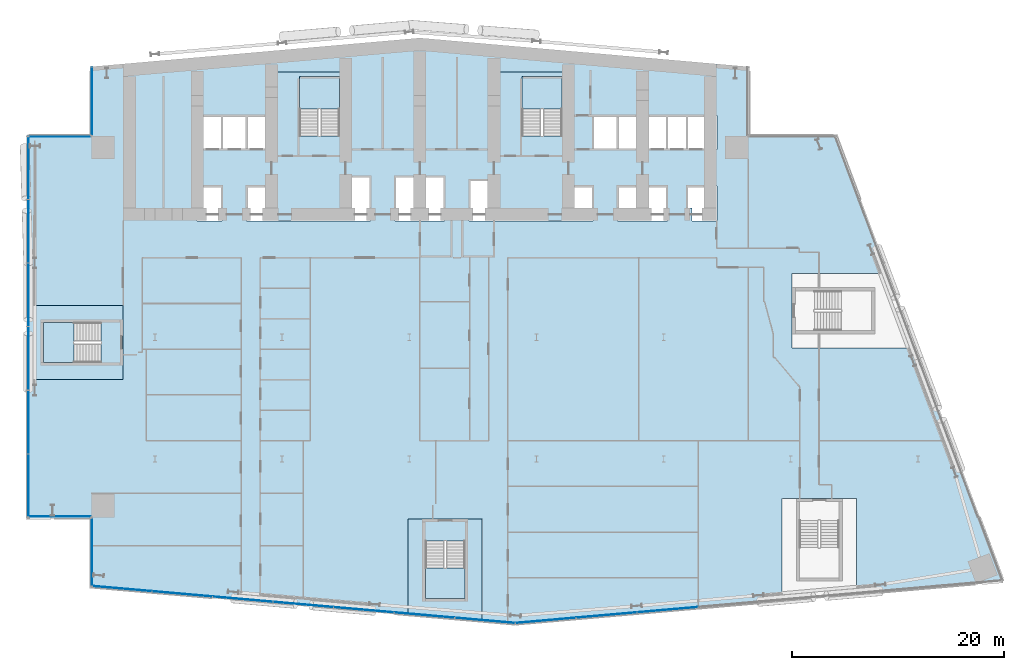
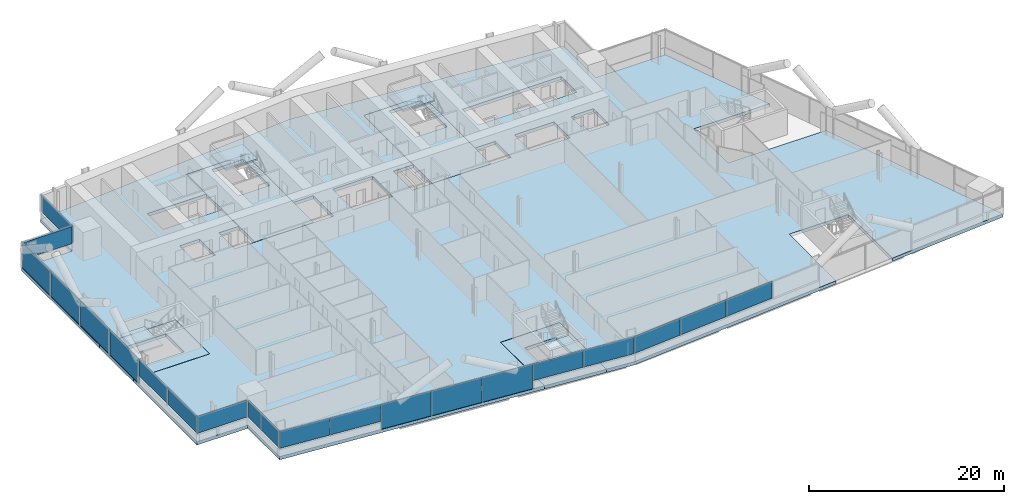
# One storey, part 11 of 27: 20 plates, 9 slabs, 11 elements without a shape of their own.
"""IFC4 building model written with IfcOpenShell, lengths in metres."""

from ifc_helpers import new_model, si_unit, direction, frame, origin, origin_2d, place, context, subcontext, project, spatial, polyline, rectangle, outline, extrude, material, layer, layer_set, type_object, element, aggregate, save


model = new_model("IFC4")

# Units and contexts
model_context = context("Model", 3, precision=1e-05, world=origin(), true_north=direction((0.0, 1.0)))
body_context = subcontext(model_context, "Body", "Model", "MODEL_VIEW")
ifc_project = project(units=[si_unit("LENGTHUNIT", "METRE"), si_unit("AREAUNIT", "SQUARE_METRE"), si_unit("VOLUMEUNIT", "CUBIC_METRE"), si_unit("PLANEANGLEUNIT", "RADIAN"), si_unit("MASSUNIT", "GRAM", prefix="KILO")], contexts=[model_context])

# Site, building, storey
site_placement = place(None, origin())
site = spatial("IfcSite", under=ifc_project, at=site_placement, CompositionType="ELEMENT")
building_placement = place(site_placement, origin())
building = spatial("IfcBuilding", under=site, at=building_placement, Name="Wharfspan Tower", CompositionType="ELEMENT")
storey_placement = place(building_placement, frame((0.0, 0.0, 81.100098)))
storey = spatial("IfcBuildingStorey", under=building, at=storey_placement, Name="L17", CompositionType="ELEMENT", Elevation=81.100098)

# Curtain wall, plates
ifc_material_1 = material(Name="Aluminium 6063-T6", Category="aluminium")
curtain_wall_type_1 = type_object("IfcCurtainWallType", Name="CURTAIN WALL FACETED FRONT", PredefinedType="NOTDEFINED", material=ifc_material_1)
curtain_wall_1_placement = place(storey_placement, origin())
curtain_wall_1 = element("IfcCurtainWall", 1, at=curtain_wall_1_placement, inside=storey, type_object=curtain_wall_type_1, Name="Curtain wall S1", PredefinedType="NOTDEFINED")
ifc_material_2 = material(Name="Glass clear low-iron double glazing", Category="glass")
ifc_layer_1 = layer(ifc_material_2, 0.040039)
ifc_layer_set_1 = layer_set([ifc_layer_1], Name="Glass clear low-iron double glazing")
plate_type_1 = type_object("IfcPlateType", Name="GLASS PANEL FACETED FRONT 40", PredefinedType="CURTAIN_PANEL", material=ifc_layer_set_1)
plate_1_placement = place(storey_placement, frame((8.877197, -0.716553, 0.999756), z_axis=(0.0, 0.0, 1.0), x_axis=(0.996197, -0.087156, 0.0)))
plate_1 = element("IfcPlate", 2, at=plate_1_placement, type_object=plate_type_1, Name="Curtain wall S1 panel 1", PredefinedType="CURTAIN_PANEL", context=body_context, shape_type="SweptSolid", body=[
    extrude(rectangle(XDim=5.645996, YDim=0.040039, at=origin_2d()), origin(), (0.0, 0.0, 1.0), 2.120117),
])
plate_2_placement = place(storey_placement, frame((14.57666, -1.215088, 0.999756), z_axis=(0.0, 0.0, 1.0), x_axis=(0.996197, -0.087156, 0.0)))
plate_2 = element("IfcPlate", 3, at=plate_2_placement, type_object=plate_type_1, Name="Curtain wall S1 panel 2", PredefinedType="CURTAIN_PANEL", context=body_context, shape_type="SweptSolid", body=[
    extrude(rectangle(XDim=5.676025, YDim=0.040039, at=origin_2d()), origin(), (0.0, 0.0, 1.0), 2.120117),
])
plate_3_placement = place(storey_placement, frame((37.433838, -3.214844, 0.999756), z_axis=(0.0, 0.0, 1.0), x_axis=(0.996197, -0.087156, 0.0)))
plate_3 = element("IfcPlate", 4, at=plate_3_placement, type_object=plate_type_1, Name="Curtain wall S1 panel 6", PredefinedType="CURTAIN_PANEL", context=body_context, shape_type="SweptSolid", body=[
    extrude(rectangle(XDim=5.676025, YDim=0.040039, at=origin_2d()), origin(), (0.0, 0.0, 1.0), 2.120117),
])
plate_4_placement = place(storey_placement, frame((43.133057, -3.713379, 0.999756), z_axis=(0.0, 0.0, 1.0), x_axis=(0.996197, -0.087156, 0.0)))
plate_4 = element("IfcPlate", 5, at=plate_4_placement, type_object=plate_type_1, Name="Curtain wall S1 panel 7", PredefinedType="CURTAIN_PANEL", context=body_context, shape_type="SweptSolid", body=[
    extrude(rectangle(XDim=5.645996, YDim=0.040039, at=origin_2d()), origin(), (0.0, 0.0, 1.0), 2.120117),
])

curtain_wall_2_placement = place(storey_placement, origin())
curtain_wall_2 = element("IfcCurtainWall", 6, at=curtain_wall_2_placement, inside=storey, type_object=curtain_wall_type_1, Name="Curtain wall S2", PredefinedType="NOTDEFINED")
plate_5_placement = place(storey_placement, frame((48.884766, -3.711914, 0.999756), z_axis=(0.0, 0.0, 1.0), x_axis=(0.996197, 0.087156, 0.0)))
plate_5 = element("IfcPlate", 7, at=plate_5_placement, type_object=plate_type_1, Name="Curtain wall S2 panel 1", PredefinedType="CURTAIN_PANEL", context=body_context, shape_type="SweptSolid", body=[
    extrude(rectangle(XDim=5.681885, YDim=0.040039, at=origin_2d()), origin(), (0.0, 0.0, 1.0), 2.120117),
])
plate_6_placement = place(storey_placement, frame((54.619873, -3.210205, 0.999756), z_axis=(0.0, 0.0, 1.0), x_axis=(0.996197, 0.087156, 0.0)))
plate_6 = element("IfcPlate", 8, at=plate_6_placement, type_object=plate_type_1, Name="Curtain wall S2 panel 2", PredefinedType="CURTAIN_PANEL", context=body_context, shape_type="SweptSolid", body=[
    extrude(rectangle(XDim=5.711914, YDim=0.040039, at=origin_2d()), origin(), (0.0, 0.0, 1.0), 2.120117),
])
plate_7_placement = place(storey_placement, frame((60.369873, -2.707031, 0.999756), z_axis=(0.0, 0.0, 1.0), x_axis=(0.996197, 0.087156, 0.0)))
plate_7 = element("IfcPlate", 9, at=plate_7_placement, type_object=plate_type_1, Name="Curtain wall S2 panel 3", PredefinedType="CURTAIN_PANEL", context=body_context, shape_type="SweptSolid", body=[
    extrude(rectangle(XDim=5.711914, YDim=0.040039, at=origin_2d()), origin(), (0.0, 0.0, 1.0), 2.120117),
])
aggregate(curtain_wall_2, [plate_5, plate_6, plate_7])

# Curtain wall, plate
curtain_wall_type_2 = type_object("IfcCurtainWallType", Name="CURTAIN WALL PROW AND END", PredefinedType="NOTDEFINED", material=ifc_material_1)
curtain_wall_3_placement = place(storey_placement, origin())
curtain_wall_3 = element("IfcCurtainWall", 10, at=curtain_wall_3_placement, inside=storey, type_object=curtain_wall_type_2, Name="Curtain wall NRW-V", PredefinedType="NOTDEFINED")
ifc_layer_2 = layer(ifc_material_2, 0.040039)
ifc_layer_set_2 = layer_set([ifc_layer_2], Name="Glass clear low-iron double glazing")
plate_type_2 = type_object("IfcPlateType", Name="GLASS PANEL PROW AND END 40", PredefinedType="CURTAIN_PANEL", material=ifc_layer_set_2)
plate_8_placement = place(storey_placement, frame((6.080078, 45.262451, 0.999756), z_axis=(0.0, 0.0, 1.0), x_axis=(0.0, -1.0, 0.0)))
plate_8 = element("IfcPlate", 11, at=plate_8_placement, type_object=plate_type_2, Name="Curtain wall NRW-V panel 1", PredefinedType="CURTAIN_PANEL", context=body_context, shape_type="SweptSolid", body=[
    extrude(rectangle(XDim=6.405029, YDim=0.040039, at=origin_2d()), origin(), (0.0, 0.0, 1.0), 2.120117),
])
aggregate(curtain_wall_3, [plate_8])

curtain_wall_4_placement = place(storey_placement, origin())
curtain_wall_4 = element("IfcCurtainWall", 12, at=curtain_wall_4_placement, inside=storey, type_object=curtain_wall_type_2, Name="Curtain wall NRW-H", PredefinedType="NOTDEFINED")
plate_9_placement = place(storey_placement, frame((3.0, 41.919922, 0.999756), z_axis=(0.0, 0.0, 1.0), x_axis=(-1.0, 0.0, 0.0)))
plate_9 = element("IfcPlate", 13, at=plate_9_placement, type_object=plate_type_2, Name="Curtain wall NRW-H panel 1", PredefinedType="CURTAIN_PANEL", context=body_context, shape_type="SweptSolid", body=[
    extrude(rectangle(XDim=5.879883, YDim=0.040039, at=origin_2d()), origin(), (0.0, 0.0, 1.0), 2.120117),
])
aggregate(curtain_wall_4, [plate_9])

# Curtain wall, plates
curtain_wall_5_placement = place(storey_placement, origin())
curtain_wall_5 = element("IfcCurtainWall", 14, at=curtain_wall_5_placement, inside=storey, type_object=curtain_wall_type_2, Name="Curtain wall W", PredefinedType="NOTDEFINED")
plate_10_placement = place(storey_placement, frame((0.080078, 15.0, 0.999756), z_axis=(0.0, 0.0, 1.0), x_axis=(0.0, -1.0, 0.0)))
plate_10 = element("IfcPlate", 15, at=plate_10_placement, type_object=plate_type_2, Name="Curtain wall W panel 5", PredefinedType="CURTAIN_PANEL", context=body_context, shape_type="SweptSolid", body=[
    extrude(rectangle(XDim=5.939941, YDim=0.040039, at=origin_2d()), origin(), (0.0, 0.0, 1.0), 2.120117),
])
plate_11_placement = place(storey_placement, frame((0.080078, 9.014893, 0.999756), z_axis=(0.0, 0.0, 1.0), x_axis=(0.0, -1.0, 0.0)))
plate_11 = element("IfcPlate", 16, at=plate_11_placement, type_object=plate_type_2, Name="Curtain wall W panel 6", PredefinedType="CURTAIN_PANEL", context=body_context, shape_type="SweptSolid", body=[
    extrude(rectangle(XDim=5.909912, YDim=0.040039, at=origin_2d()), origin(), (0.0, 0.0, 1.0), 2.120117),
])

# Curtain wall, plate
curtain_wall_6_placement = place(storey_placement, origin())
curtain_wall_6 = element("IfcCurtainWall", 17, at=curtain_wall_6_placement, inside=storey, type_object=curtain_wall_type_2, Name="Curtain wall NFW-H", PredefinedType="NOTDEFINED")
plate_12_placement = place(storey_placement, frame((3.0, 6.080078, 0.999756), z_axis=(0.0, 0.0, 1.0), x_axis=(1.0, 0.0, 0.0)))
plate_12 = element("IfcPlate", 18, at=plate_12_placement, type_object=plate_type_2, Name="Curtain wall NFW-H panel 1", PredefinedType="CURTAIN_PANEL", context=body_context, shape_type="SweptSolid", body=[
    extrude(rectangle(XDim=5.879883, YDim=0.040039, at=origin_2d()), origin(), (0.0, 0.0, 1.0), 2.120117),
])
aggregate(curtain_wall_6, [plate_12])

curtain_wall_7_placement = place(storey_placement, origin())
curtain_wall_7 = element("IfcCurtainWall", 19, at=curtain_wall_7_placement, inside=storey, type_object=curtain_wall_type_2, Name="Curtain wall NFW-V", PredefinedType="NOTDEFINED")
plate_13_placement = place(storey_placement, frame((6.080078, 2.737549, 0.999756), z_axis=(0.0, 0.0, 1.0), x_axis=(0.0, -1.0, 0.0)))
plate_13 = element("IfcPlate", 20, at=plate_13_placement, type_object=plate_type_2, Name="Curtain wall NFW-V panel 1", PredefinedType="CURTAIN_PANEL", context=body_context, shape_type="SweptSolid", body=[
    extrude(rectangle(XDim=6.405029, YDim=0.040039, at=origin_2d()), origin(), (0.0, 0.0, 1.0), 2.120117),
])
aggregate(curtain_wall_7, [plate_13])

# Plate
ifc_material_3 = material(Name="Aluminium composite opaque insulated panel", Category="aluminium")
ifc_layer_3 = layer(ifc_material_3, 0.040039)
ifc_layer_set_3 = layer_set([ifc_layer_3], Name="Aluminium composite opaque insulated panel")
plate_type_3 = type_object("IfcPlateType", Name="INFILL PANEL FACETED FRONT OPAQUE 40", PredefinedType="SHEET", material=ifc_layer_set_3)
plate_14_placement = place(storey_placement, frame((20.291016, -1.715088, -0.000244), z_axis=(0.0, 0.0, 1.0), x_axis=(0.996197, -0.087156, 0.0)))
plate_14 = element("IfcPlate", 21, at=plate_14_placement, type_object=plate_type_3, Name="Curtain wall S1 panel 3", PredefinedType="SHEET", context=body_context, shape_type="SweptSolid", body=[
    extrude(rectangle(XDim=5.676025, YDim=0.040039, at=origin_2d()), origin(), (0.0, 0.0, 1.0), 3.120117),
])

plate_15_placement = place(storey_placement, frame((26.005127, -2.214844, -0.000244), z_axis=(0.0, 0.0, 1.0), x_axis=(0.996197, -0.087156, 0.0)))
plate_15 = element("IfcPlate", 22, at=plate_15_placement, type_object=plate_type_3, Name="Curtain wall S1 panel 4", PredefinedType="SHEET", context=body_context, shape_type="SweptSolid", body=[
    extrude(rectangle(XDim=5.676025, YDim=0.040039, at=origin_2d()), origin(), (0.0, 0.0, 1.0), 3.120117),
])

plate_16_placement = place(storey_placement, frame((31.719482, -2.714844, -0.000244), z_axis=(0.0, 0.0, 1.0), x_axis=(0.996197, -0.087156, 0.0)))
plate_16 = element("IfcPlate", 23, at=plate_16_placement, type_object=plate_type_3, Name="Curtain wall S1 panel 5", PredefinedType="SHEET", context=body_context, shape_type="SweptSolid", body=[
    extrude(rectangle(XDim=5.676025, YDim=0.040039, at=origin_2d()), origin(), (0.0, 0.0, 1.0), 3.120117),
])

aggregate(curtain_wall_1, [plate_1, plate_2, plate_14, plate_15, plate_16, plate_3, plate_4])

ifc_layer_4 = layer(ifc_material_3, 0.040039)
ifc_layer_set_4 = layer_set([ifc_layer_4], Name="Aluminium composite opaque insulated panel")
plate_type_4 = type_object("IfcPlateType", Name="INFILL PANEL PROW AND END OPAQUE 40", PredefinedType="SHEET", material=ifc_layer_set_4)
plate_17_placement = place(storey_placement, frame((0.080078, 38.985107, -0.000244), z_axis=(0.0, 0.0, 1.0), x_axis=(0.0, -1.0, 0.0)))
plate_17 = element("IfcPlate", 24, at=plate_17_placement, type_object=plate_type_4, Name="Curtain wall W panel 1", PredefinedType="SHEET", context=body_context, shape_type="SweptSolid", body=[
    extrude(rectangle(XDim=5.909912, YDim=0.040039, at=origin_2d()), origin(), (0.0, 0.0, 1.0), 3.120117),
])

plate_18_placement = place(storey_placement, frame((0.080078, 33.0, -0.000244), z_axis=(0.0, 0.0, 1.0), x_axis=(0.0, -1.0, 0.0)))
plate_18 = element("IfcPlate", 25, at=plate_18_placement, type_object=plate_type_4, Name="Curtain wall W panel 2", PredefinedType="SHEET", context=body_context, shape_type="SweptSolid", body=[
    extrude(rectangle(XDim=5.939941, YDim=0.040039, at=origin_2d()), origin(), (0.0, 0.0, 1.0), 3.120117),
])

plate_19_placement = place(storey_placement, frame((0.080078, 27.0, -0.000244), z_axis=(0.0, 0.0, 1.0), x_axis=(0.0, -1.0, 0.0)))
plate_19 = element("IfcPlate", 26, at=plate_19_placement, type_object=plate_type_4, Name="Curtain wall W panel 3", PredefinedType="SHEET", context=body_context, shape_type="SweptSolid", body=[
    extrude(rectangle(XDim=5.939941, YDim=0.040039, at=origin_2d()), origin(), (0.0, 0.0, 1.0), 3.120117),
])

plate_20_placement = place(storey_placement, frame((0.080078, 21.0, -0.000244), z_axis=(0.0, 0.0, 1.0), x_axis=(0.0, -1.0, 0.0)))
plate_20 = element("IfcPlate", 27, at=plate_20_placement, type_object=plate_type_4, Name="Curtain wall W panel 4", PredefinedType="SHEET", context=body_context, shape_type="SweptSolid", body=[
    extrude(rectangle(XDim=5.939941, YDim=0.040039, at=origin_2d()), origin(), (0.0, 0.0, 1.0), 3.120117),
])

aggregate(curtain_wall_5, [plate_17, plate_18, plate_19, plate_20, plate_10, plate_11])

# Slabs
ifc_material_4 = material(Name="Concrete C40/50", Category="concrete")
ifc_layer_5 = layer(ifc_material_4, 0.399902)
ifc_layer_set_5 = layer_set([ifc_layer_5], Name="Concrete C40/50")
slab_type_1 = type_object("IfcSlabType", Name="Post-tensioned flat slab 400", PredefinedType="FLOOR", material=ifc_layer_set_5)
slab_1_placement = place(storey_placement, frame((0.0, 0.0, -0.400146)))
element("IfcSlab", 28, at=slab_1_placement, inside=storey, type_object=slab_type_1, Name="Floor slab L17", PredefinedType="FLOOR", context=body_context, shape_type="SweptSolid", body=[
    extrude(outline(polyline([(35.873291, -3.138428), (35.873291, 5.870605), (42.893311, 5.870605), (42.893311, -3.752686), (46.0, -4.024414), (71.182617, -1.821289), (71.182617, 7.802002), (78.202393, 7.802002), (78.202393, -1.207031), (92.0, 0.0), (83.753662, 21.98999), (72.11499, 21.98999), (72.11499, 29.01001), (81.121338, 29.01001), (76.25, 42.0), (68.0, 42.0), (68.0, 48.524902), (37.0, 51.237061), (6.0, 48.524902), (6.0, 42.0), (0.0, 42.0), (0.0, 26.01001), (9.01001, 26.01001), (9.01001, 18.98999), (0.0, 18.98999), (0.0, 6.0), (6.0, 6.0), (6.0, -0.524902), (35.873291, -3.138428)]), holes=[polyline([(62.290039, 37.159912), (62.656738, 37.159912), (62.656738, 37.26001), (65.01001, 37.26001), (65.01001, 33.98999), (62.656738, 33.98999), (62.656738, 35.189941), (62.290039, 35.189941), (62.290039, 37.159912)]), polyline([(65.01001, 43.909912), (65.01001, 40.689941), (53.323242, 40.689941), (53.323242, 43.909912), (65.01001, 43.909912)]), polyline([(55.656738, 33.98999), (55.656738, 37.26001), (60.343262, 37.26001), (60.343262, 33.98999), (55.656738, 33.98999)]), polyline([(43.98999, 37.860107), (43.98999, 48.01001), (51.01001, 48.01001), (51.01001, 37.26001), (53.343262, 37.26001), (53.343262, 33.98999), (41.656738, 33.98999), (41.656738, 37.860107), (43.98999, 37.860107)]), polyline([(34.656738, 33.98999), (34.656738, 38.159912), (39.343262, 38.159912), (39.343262, 33.98999), (34.656738, 33.98999)]), polyline([(15.98999, 40.689941), (15.98999, 43.909912), (20.656738, 43.909912), (20.676758, 43.909912), (22.98999, 43.909912), (22.98999, 48.01001), (30.01001, 48.01001), (30.01001, 38.159912), (32.343262, 38.159912), (32.343262, 33.98999), (20.656738, 33.98999), (20.656738, 37.26001), (22.98999, 37.26001), (22.98999, 40.689941), (20.676758, 40.689941), (20.656738, 40.689941), (15.98999, 40.689941)]), polyline([(18.343262, 37.26001), (18.343262, 33.98999), (15.98999, 33.98999), (15.98999, 37.26001), (18.343262, 37.26001)])]), origin(), (0.0, 0.0, 1.0), 0.400146),
])
slab_2_placement = place(storey_placement, frame((0.0, 0.0, -0.400146)))
element("IfcSlab", 29, at=slab_2_placement, inside=storey, type_object=slab_type_1, Name="Core floor slab L17 part 1", PredefinedType="FLOOR", context=body_context, shape_type="SweptSolid", body=[
    extrude(outline(polyline([(9.0, 20.324951), (9.0, 24.675049), (9.0, 26.0), (0.0, 26.0), (0.0, 19.0), (9.0, 19.0), (9.0, 20.324951)]), holes=[polyline([(6.9021, 20.625), (6.9021, 20.624756), (6.9021, 20.624512), (6.901855, 20.624512), (6.901855, 20.624268), (6.901855, 20.624023), (6.901611, 20.623779), (6.901611, 20.623779), (6.901367, 20.623535), (6.901367, 20.623535), (6.901123, 20.623291), (6.900879, 20.623291), (6.900879, 20.623291), (6.900635, 20.623047), (6.900391, 20.623047), (6.900146, 20.623047), (6.899902, 20.623047), (1.5, 20.623047), (1.499756, 20.623047), (1.499512, 20.623047), (1.499512, 20.623047), (1.499268, 20.623291), (1.499023, 20.623291), (1.498779, 20.623291), (1.498779, 20.623535), (1.498535, 20.623535), (1.498535, 20.623779), (1.498291, 20.623779), (1.498291, 20.624023), (1.498291, 20.624268), (1.498047, 20.624512), (1.498047, 20.624512), (1.498047, 20.624756), (1.498047, 20.625), (1.498047, 24.375), (1.498047, 24.375244), (1.498047, 24.375488), (1.498047, 24.375488), (1.498291, 24.375732), (1.498291, 24.375977), (1.498291, 24.376221), (1.498535, 24.376221), (1.498535, 24.376465), (1.498779, 24.376465), (1.498779, 24.376709), (1.499023, 24.376709), (1.499268, 24.376709), (1.499512, 24.376953), (1.499512, 24.376953), (1.499756, 24.376953), (1.5, 24.376953), (6.899902, 24.376953), (6.900146, 24.376953), (6.900391, 24.376953), (6.900635, 24.376953), (6.900879, 24.376709), (6.900879, 24.376709), (6.901123, 24.376709), (6.901367, 24.376465), (6.901367, 24.376465), (6.901611, 24.376221), (6.901611, 24.376221), (6.901855, 24.375977), (6.901855, 24.375732), (6.901855, 24.375488), (6.9021, 24.375488), (6.9021, 24.375244), (6.9021, 24.375), (6.9021, 20.625)])]), origin(), (0.0, 0.0, 1.0), 0.400146),
])
slab_3_placement = place(storey_placement, frame((0.0, 0.0, -0.400146)))
element("IfcSlab", 30, at=slab_3_placement, inside=storey, type_object=slab_type_1, Name="Core floor slab L17 part 2", PredefinedType="FLOOR", context=body_context, shape_type="SweptSolid", body=[
    extrude(outline(polyline([(20.664795, 34.0), (20.664795, 37.25), (20.664795, 37.250244), (20.664795, 37.250488), (20.664795, 37.250488), (20.664795, 37.250732), (20.664795, 37.250977), (20.665039, 37.251221), (20.665039, 37.251221), (20.665283, 37.251465), (20.665283, 37.251465), (20.665527, 37.251709), (20.665771, 37.251709), (20.666016, 37.251709), (20.666016, 37.251953), (20.66626, 37.251953), (20.666504, 37.251953), (20.666748, 37.251953), (23.0, 37.251953), (23.000244, 37.251953), (23.000488, 37.251953), (23.000488, 37.251953), (23.000732, 37.251709), (23.000977, 37.251709), (23.001221, 37.251709), (23.001221, 37.251465), (23.001465, 37.251465), (23.001465, 37.251221), (23.001709, 37.251221), (23.001709, 37.250977), (23.001709, 37.250732), (23.001953, 37.250488), (23.001953, 37.250488), (23.001953, 37.250244), (23.001953, 37.25), (23.001953, 34.0), (29.998047, 34.0), (29.998047, 38.149902), (29.998047, 38.150146), (29.998047, 38.150391), (29.998047, 38.150635), (29.998291, 38.150879), (29.998291, 38.150879), (29.998291, 38.151123), (29.998535, 38.151367), (29.998535, 38.151367), (29.998779, 38.151611), (29.998779, 38.151611), (29.999023, 38.151855), (29.999268, 38.151855), (29.999512, 38.151855), (29.999512, 38.1521), (29.999756, 38.1521), (30.0, 38.1521), (32.333252, 38.1521), (32.333496, 38.1521), (32.33374, 38.1521), (32.333984, 38.151855), (32.333984, 38.151855), (32.334229, 38.151855), (32.334473, 38.151611), (32.334717, 38.151611), (32.334717, 38.151367), (32.334961, 38.151367), (32.334961, 38.151123), (32.335205, 38.150879), (32.335205, 38.150879), (32.335205, 38.150635), (32.335205, 38.150391), (32.335205, 38.150146), (32.335205, 38.149902), (32.335205, 34.0), (32.341309, 34.0), (32.341309, 38.157959), (30.01001, 38.157959), (30.009766, 38.157959), (30.009521, 38.157959), (30.009521, 38.158203), (30.009277, 38.158203), (30.009033, 38.158203), (30.008789, 38.158203), (30.008789, 38.158447), (30.008545, 38.158691), (30.008545, 38.158691), (30.008301, 38.158936), (30.008301, 38.15918), (30.008301, 38.15918), (30.008057, 38.159424), (30.008057, 38.159668), (30.008057, 38.159912), (30.008057, 38.159912), (30.008057, 48.008057), (22.991943, 48.008057), (22.991943, 43.909912), (22.991943, 43.909912), (22.991943, 43.909668), (22.991943, 43.909424), (22.991699, 43.90918), (22.991699, 43.90918), (22.991699, 43.908936), (22.991455, 43.908691), (22.991455, 43.908691), (22.991211, 43.908447), (22.991211, 43.908203), (22.990967, 43.908203), (22.990723, 43.908203), (22.990479, 43.908203), (22.990479, 43.907959), (22.990234, 43.907959), (22.98999, 43.907959), (15.991943, 43.907959), (15.991943, 40.691895), (22.98999, 40.691895), (22.990234, 40.691895), (22.990479, 40.691895), (22.990479, 40.691895), (22.990723, 40.691895), (22.990967, 40.691895), (22.991211, 40.69165), (22.991211, 40.691406), (22.991455, 40.691406), (22.991455, 40.691406), (22.991699, 40.691162), (22.991699, 40.690918), (22.991699, 40.690918), (22.991943, 40.690674), (22.991943, 40.69043), (22.991943, 40.690186), (22.991943, 40.689941), (22.991943, 37.26001), (22.991943, 37.259766), (22.991943, 37.259521), (22.991943, 37.259521), (22.991699, 37.259277), (22.991699, 37.259033), (22.991699, 37.258789), (22.991455, 37.258789), (22.991455, 37.258545), (22.991211, 37.258545), (22.991211, 37.258301), (22.990967, 37.258301), (22.990723, 37.258301), (22.990479, 37.258057), (22.990479, 37.258057), (22.990234, 37.258057), (22.98999, 37.258057), (20.658691, 37.258057), (20.658691, 34.0), (20.664795, 34.0)]), holes=[polyline([(29.4021, 42.0), (29.4021, 41.999756), (29.4021, 41.999512), (29.401855, 41.999512), (29.401855, 41.999268), (29.401855, 41.999023), (29.401611, 41.998779), (29.401611, 41.998779), (29.401367, 41.998535), (29.401367, 41.998535), (29.401123, 41.998291), (29.400879, 41.998291), (29.400879, 41.998291), (29.400635, 41.998047), (29.400391, 41.998047), (29.400146, 41.998047), (29.399902, 41.998047), (25.649902, 41.998047), (25.649902, 41.998047), (25.649658, 41.998047), (25.649414, 41.998047), (25.64917, 41.998291), (25.64917, 41.998291), (25.648926, 41.998291), (25.648682, 41.998535), (25.648682, 41.998535), (25.648438, 41.998779), (25.648193, 41.998779), (25.648193, 41.999023), (25.648193, 41.999268), (25.648193, 41.999512), (25.647949, 41.999512), (25.647949, 41.999756), (25.647949, 42.0), (25.647949, 47.399902), (25.647949, 47.400146), (25.647949, 47.400391), (25.648193, 47.400635), (25.648193, 47.400879), (25.648193, 47.400879), (25.648193, 47.401123), (25.648438, 47.401367), (25.648682, 47.401367), (25.648682, 47.401611), (25.648926, 47.401611), (25.64917, 47.401855), (25.64917, 47.401855), (25.649414, 47.401855), (25.649658, 47.4021), (25.649902, 47.4021), (25.649902, 47.4021), (29.399902, 47.4021), (29.400146, 47.4021), (29.400391, 47.4021), (29.400635, 47.401855), (29.400879, 47.401855), (29.400879, 47.401855), (29.401123, 47.401611), (29.401367, 47.401611), (29.401367, 47.401367), (29.401611, 47.401367), (29.401611, 47.401123), (29.401855, 47.400879), (29.401855, 47.400879), (29.401855, 47.400635), (29.4021, 47.400391), (29.4021, 47.400146), (29.4021, 47.399902), (29.4021, 42.0)]), polyline([(16.0, 40.697998), (15.999756, 40.697998), (15.999512, 40.697998), (15.999512, 40.697998), (15.999268, 40.698242), (15.999023, 40.698242), (15.998779, 40.698242), (15.998779, 40.698486), (15.998535, 40.698486), (15.998535, 40.69873), (15.998291, 40.698975), (15.998291, 40.699219), (15.998291, 40.699219), (15.998047, 40.699463), (15.998047, 40.699707), (15.998047, 40.699707), (15.998047, 40.699951), (15.998047, 43.899902), (15.998047, 43.900146), (15.998047, 43.900391), (15.998047, 43.900635), (15.998291, 43.900879), (15.998291, 43.900879), (15.998291, 43.901123), (15.998535, 43.901367), (15.998535, 43.901367), (15.998779, 43.901611), (15.998779, 43.901611), (15.999023, 43.901855), (15.999268, 43.901855), (15.999512, 43.901855), (15.999512, 43.9021), (15.999756, 43.9021), (16.0, 43.9021), (20.666748, 43.9021), (20.666748, 43.9021), (23.0, 43.9021), (23.000244, 43.9021), (23.000488, 43.9021), (23.000488, 43.901855), (23.000732, 43.901855), (23.000977, 43.901855), (23.001221, 43.901611), (23.001221, 43.901611), (23.001465, 43.901367), (23.001465, 43.901367), (23.001709, 43.901123), (23.001709, 43.900879), (23.001709, 43.900879), (23.001953, 43.900635), (23.001953, 43.900391), (23.001953, 43.900146), (23.001953, 43.899902), (23.001953, 40.699951), (23.001953, 40.699707), (23.001953, 40.699707), (23.001953, 40.699463), (23.001709, 40.699219), (23.001709, 40.699219), (23.001709, 40.698975), (23.001465, 40.69873), (23.001465, 40.698486), (23.001221, 40.698486), (23.001221, 40.698242), (23.000977, 40.698242), (23.000732, 40.698242), (23.000488, 40.697998), (23.000488, 40.697998), (23.000244, 40.697998), (23.0, 40.697998), (20.666748, 40.697998), (20.666748, 40.697998), (16.0, 40.697998)])]), origin(), (0.0, 0.0, 1.0), 0.400146),
])
slab_4_placement = place(storey_placement, frame((0.0, 0.0, -0.400146)))
element("IfcSlab", 31, at=slab_4_placement, inside=storey, type_object=slab_type_1, Name="Core floor slab L17 part 3", PredefinedType="FLOOR", context=body_context, shape_type="SweptSolid", body=[
    extrude(outline(polyline([(41.55835, 5.860596), (37.208252, 5.860596), (35.883301, 5.860596), (35.883301, -3.139404), (42.883301, -3.751709), (42.883301, 5.860596), (41.55835, 5.860596)]), holes=[polyline([(37.506348, 3.760498), (37.506348, 3.760742), (37.506348, 3.760986), (37.506348, 3.76123), (37.506592, 3.761475), (37.506592, 3.761719), (37.506592, 3.761719), (37.506836, 3.761963), (37.506836, 3.761963), (37.50708, 3.762207), (37.50708, 3.762207), (37.507324, 3.762451), (37.507568, 3.762451), (37.507812, 3.762451), (37.507812, 3.762695), (37.508057, 3.762695), (37.508301, 3.762695), (41.258301, 3.762695), (41.258545, 3.762695), (41.258789, 3.762695), (41.258789, 3.762451), (41.259033, 3.762451), (41.259277, 3.762451), (41.259521, 3.762207), (41.259521, 3.762207), (41.259766, 3.761963), (41.26001, 3.761963), (41.26001, 3.761719), (41.26001, 3.761719), (41.260254, 3.761475), (41.260254, 3.76123), (41.260254, 3.760986), (41.260254, 3.760742), (41.260254, 3.760498), (41.260254, -1.639404), (41.260254, -1.639648), (41.260254, -1.639893), (41.260254, -1.639893), (41.260254, -1.640137), (41.26001, -1.640381), (41.26001, -1.640381), (41.26001, -1.640625), (41.259766, -1.640869), (41.259521, -1.640869), (41.259521, -1.641113), (41.259277, -1.641113), (41.259033, -1.641113), (41.258789, -1.641357), (41.258789, -1.641357), (41.258545, -1.641357), (41.258301, -1.641357), (37.508301, -1.641357), (37.508057, -1.641357), (37.507812, -1.641357), (37.507812, -1.641357), (37.507568, -1.641113), (37.507324, -1.641113), (37.50708, -1.641113), (37.50708, -1.640869), (37.506836, -1.640869), (37.506836, -1.640625), (37.506592, -1.640381), (37.506592, -1.640381), (37.506592, -1.640137), (37.506348, -1.639893), (37.506348, -1.639893), (37.506348, -1.639648), (37.506348, -1.639404), (37.506348, 3.760498)])]), origin(), (0.0, 0.0, 1.0), 0.400146),
])
slab_5_placement = place(storey_placement, frame((0.0, 0.0, -0.400146)))
element("IfcSlab", 32, at=slab_5_placement, inside=storey, type_object=slab_type_1, Name="Core floor slab L17 part 4", PredefinedType="FLOOR", context=body_context, shape_type="SweptSolid", body=[
    extrude(outline(polyline([(53.341309, 34.0), (53.341309, 37.258057), (51.01001, 37.258057), (51.009766, 37.258057), (51.009521, 37.258057), (51.009521, 37.258057), (51.009277, 37.258301), (51.009033, 37.258301), (51.008789, 37.258301), (51.008789, 37.258545), (51.008545, 37.258545), (51.008545, 37.258789), (51.008301, 37.258789), (51.008301, 37.259033), (51.008301, 37.259277), (51.008057, 37.259521), (51.008057, 37.259521), (51.008057, 37.259766), (51.008057, 37.26001), (51.008057, 48.008057), (43.991943, 48.008057), (43.991943, 37.860107), (43.991943, 37.859863), (43.991943, 37.859619), (43.991943, 37.859375), (43.991699, 37.859131), (43.991699, 37.859131), (43.991699, 37.858887), (43.991455, 37.858643), (43.991455, 37.858643), (43.991211, 37.858398), (43.991211, 37.858398), (43.990967, 37.858154), (43.990723, 37.858154), (43.990479, 37.858154), (43.990479, 37.85791), (43.990234, 37.85791), (43.98999, 37.85791), (41.658691, 37.85791), (41.658691, 34.0), (41.664795, 34.0), (41.664795, 37.850098), (41.664795, 37.850098), (41.664795, 37.850342), (41.664795, 37.850586), (41.664795, 37.85083), (41.664795, 37.85083), (41.665039, 37.851074), (41.665039, 37.851318), (41.665283, 37.851318), (41.665283, 37.851562), (41.665527, 37.851807), (41.665771, 37.851807), (41.666016, 37.851807), (41.666016, 37.851807), (41.66626, 37.852051), (41.666504, 37.852051), (41.666748, 37.852051), (44.0, 37.852051), (44.000244, 37.852051), (44.000488, 37.852051), (44.000488, 37.851807), (44.000732, 37.851807), (44.000977, 37.851807), (44.001221, 37.851807), (44.001221, 37.851562), (44.001465, 37.851318), (44.001465, 37.851318), (44.001709, 37.851074), (44.001709, 37.85083), (44.001709, 37.85083), (44.001953, 37.850586), (44.001953, 37.850342), (44.001953, 37.850098), (44.001953, 37.850098), (44.001953, 34.0), (50.998047, 34.0), (50.998047, 37.25), (50.998047, 37.250244), (50.998047, 37.250488), (50.998047, 37.250488), (50.998291, 37.250732), (50.998291, 37.250977), (50.998291, 37.251221), (50.998535, 37.251221), (50.998535, 37.251465), (50.998779, 37.251465), (50.998779, 37.251709), (50.999023, 37.251709), (50.999268, 37.251709), (50.999512, 37.251953), (50.999512, 37.251953), (50.999756, 37.251953), (51.0, 37.251953), (53.333252, 37.251953), (53.333496, 37.251953), (53.33374, 37.251953), (53.333984, 37.251953), (53.333984, 37.251709), (53.334229, 37.251709), (53.334473, 37.251709), (53.334717, 37.251465), (53.334717, 37.251465), (53.334961, 37.251221), (53.334961, 37.251221), (53.335205, 37.250977), (53.335205, 37.250732), (53.335205, 37.250488), (53.335205, 37.250488), (53.335205, 37.250244), (53.335205, 37.25), (53.335205, 34.0), (53.341309, 34.0)]), holes=[polyline([(46.649902, 41.998047), (46.649902, 41.998047), (46.649658, 41.998047), (46.649414, 41.998047), (46.64917, 41.998291), (46.64917, 41.998291), (46.648926, 41.998291), (46.648682, 41.998535), (46.648682, 41.998535), (46.648438, 41.998779), (46.648193, 41.998779), (46.648193, 41.999023), (46.648193, 41.999268), (46.648193, 41.999512), (46.647949, 41.999512), (46.647949, 41.999756), (46.647949, 42.0), (46.647949, 47.399902), (46.647949, 47.400146), (46.647949, 47.400391), (46.648193, 47.400635), (46.648193, 47.400879), (46.648193, 47.400879), (46.648193, 47.401123), (46.648438, 47.401367), (46.648682, 47.401367), (46.648682, 47.401611), (46.648926, 47.401611), (46.64917, 47.401855), (46.64917, 47.401855), (46.649414, 47.401855), (46.649658, 47.4021), (46.649902, 47.4021), (46.649902, 47.4021), (50.399902, 47.4021), (50.400146, 47.4021), (50.400391, 47.4021), (50.400635, 47.401855), (50.400879, 47.401855), (50.400879, 47.401855), (50.401123, 47.401611), (50.401367, 47.401611), (50.401367, 47.401367), (50.401611, 47.401367), (50.401611, 47.401123), (50.401855, 47.400879), (50.401855, 47.400879), (50.401855, 47.400635), (50.4021, 47.400391), (50.4021, 47.400146), (50.4021, 47.399902), (50.4021, 42.0), (50.4021, 41.999756), (50.4021, 41.999512), (50.401855, 41.999512), (50.401855, 41.999268), (50.401855, 41.999023), (50.401611, 41.998779), (50.401611, 41.998779), (50.401367, 41.998535), (50.401367, 41.998535), (50.401123, 41.998291), (50.400879, 41.998291), (50.400879, 41.998291), (50.400635, 41.998047), (50.400391, 41.998047), (50.400146, 41.998047), (50.399902, 41.998047), (46.649902, 41.998047)])]), origin(), (0.0, 0.0, 1.0), 0.400146),
])

# Stair, slab
stair_type = type_object("IfcStairType", Name="Half-turn stair 20 risers 180 mm", PredefinedType="HALF_TURN_STAIR", material=ifc_material_4)
stair_1_placement = place(storey_placement, origin())
stair_1 = element("IfcStair", 33, at=stair_1_placement, inside=storey, type_object=stair_type, Name="L17 stair ST1", PredefinedType="HALF_TURN_STAIR")
ifc_layer_6 = layer(ifc_material_4, 0.199951)
ifc_layer_set_6 = layer_set([ifc_layer_6], Name="Concrete C40/50")
slab_type_2 = type_object("IfcSlabType", Name="Stair landing 200", PredefinedType="LANDING", material=ifc_layer_set_6)
slab_6_placement = place(storey_placement, frame((0.0, 0.0, 1.599609)))
slab_6 = element("IfcSlab", 34, at=slab_6_placement, type_object=slab_type_2, Name="ST1 landing 1", PredefinedType="LANDING", context=body_context, shape_type="SweptSolid", body=[
    extrude(outline(polyline([(25.649902, 44.52002), (29.399902, 44.52002), (29.399902, 47.582764), (25.649902, 47.582764), (25.649902, 44.52002)])), origin(), (0.0, 0.0, 1.0), 0.200195),
])
aggregate(stair_1, [slab_6])

stair_2_placement = place(storey_placement, origin())
stair_2 = element("IfcStair", 35, at=stair_2_placement, inside=storey, type_object=stair_type, Name="L17 stair ST2", PredefinedType="HALF_TURN_STAIR")
slab_7_placement = place(storey_placement, frame((0.0, 0.0, 1.599609)))
slab_7 = element("IfcSlab", 36, at=slab_7_placement, type_object=slab_type_2, Name="ST2 landing 1", PredefinedType="LANDING", context=body_context, shape_type="SweptSolid", body=[
    extrude(outline(polyline([(46.649902, 44.52002), (50.399902, 44.52002), (50.399902, 47.582764), (46.649902, 47.582764), (46.649902, 44.52002)])), origin(), (0.0, 0.0, 1.0), 0.200195),
])
aggregate(stair_2, [slab_7])

stair_3_placement = place(storey_placement, origin())
stair_3 = element("IfcStair", 37, at=stair_3_placement, inside=storey, type_object=stair_type, Name="L17 stair ST3", PredefinedType="HALF_TURN_STAIR")
slab_8_placement = place(storey_placement, frame((0.0, 0.0, 1.599609)))
slab_8 = element("IfcSlab", 38, at=slab_8_placement, type_object=slab_type_2, Name="ST3 landing 1", PredefinedType="LANDING", context=body_context, shape_type="SweptSolid", body=[
    extrude(outline(polyline([(4.379883, 24.375), (1.5, 24.375), (1.5, 20.625), (4.379883, 20.625), (4.379883, 24.375)])), origin(), (0.0, 0.0, 1.0), 0.200195),
])
aggregate(stair_3, [slab_8])

stair_4_placement = place(storey_placement, origin())
stair_4 = element("IfcStair", 39, at=stair_4_placement, inside=storey, type_object=stair_type, Name="L17 stair ST4", PredefinedType="HALF_TURN_STAIR")
slab_9_placement = place(storey_placement, frame((0.0, 0.0, 1.599609)))
slab_9 = element("IfcSlab", 40, at=slab_9_placement, type_object=slab_type_2, Name="ST4 landing 1", PredefinedType="LANDING", context=body_context, shape_type="SweptSolid", body=[
    extrude(outline(polyline([(37.508301, 1.240723), (37.508301, -1.639404), (41.258301, -1.639404), (41.258301, 1.240723), (37.508301, 1.240723)])), origin(), (0.0, 0.0, 1.0), 0.200195),
])
aggregate(stair_4, [slab_9])

save(model, "model.ifc")
